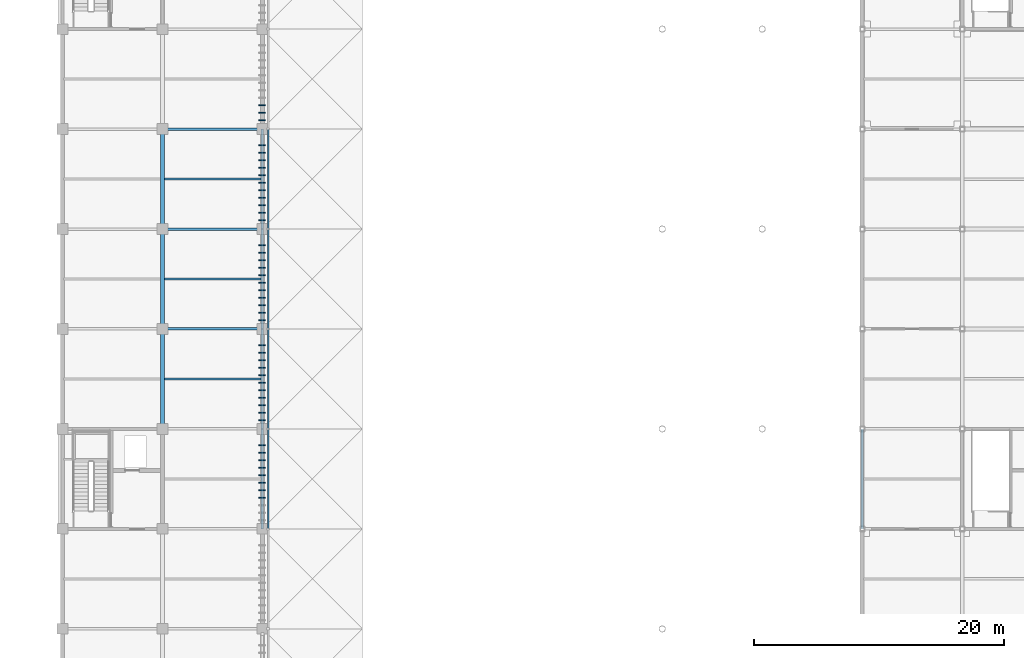
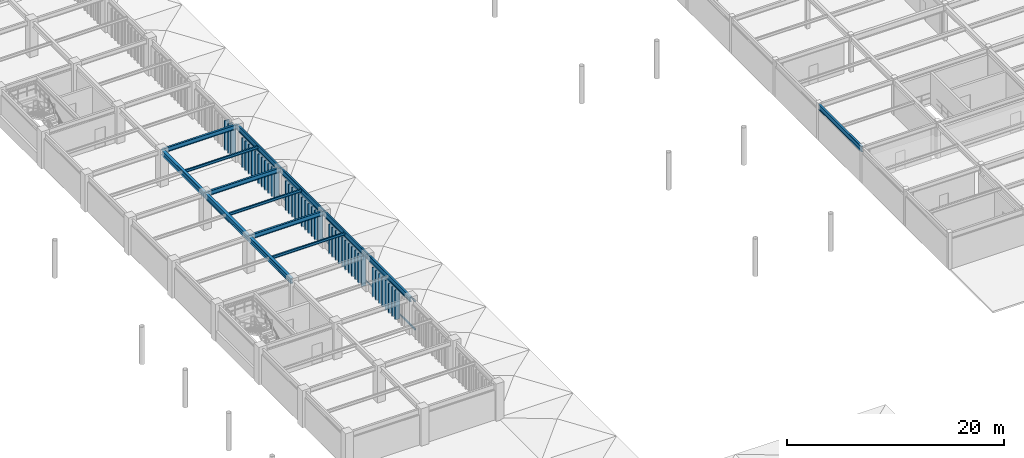
# One storey, part 32 of 78: 52 members, 14 beams.
"""IFC4 building model written with IfcOpenShell, lengths in metres."""

import ifcopenshell
import ifcopenshell.guid

model = None  # the IFC model being written
_history = None  # IfcOwnerHistory: only IFC2X3 demands one
_inside = {}  # id of a spatial element -> (the spatial element, [elements in it])
_under = {}  # id of a project, library or spatial element -> (it, [spatial elements below it])
_declared = {}  # id of a project -> (the project, [libraries it declares])
_typed = {}  # id of a type object -> (the type object, [elements of that type])
_made_of = {}  # id of a material, layer set ... -> (it, [elements and type objects made of it])


def new_model(schema):
    """Start an empty IFC model of exactly this schema.

    Asked for "IFC4X3", IfcOpenShell would pick the latest addendum, in which some entities
    have other attributes; the version numbers below select the first issue.
    IFC2X3 requires an IfcOwnerHistory on every rooted entity: one is made here for all.
    """
    global model, _history
    if schema == "IFC4X3":
        model = ifcopenshell.file(schema_version=(4, 3, 0, 0))
    else:
        model = ifcopenshell.file(schema=schema)
    _inside.clear()
    _under.clear()
    _declared.clear()
    _typed.clear()
    _made_of.clear()
    _history = None
    if model.schema == "IFC2X3":
        org = make("IfcOrganization", Name="unknown")
        user = make(
            "IfcPersonAndOrganization",
            ThePerson=make("IfcPerson", FamilyName="unknown"),
            TheOrganization=org,
        )
        app = make(
            "IfcApplication",
            ApplicationDeveloper=org,
            Version="unknown",
            ApplicationFullName="unknown",
            ApplicationIdentifier="unknown",
        )
        _history = make(
            "IfcOwnerHistory",
            OwningUser=user,
            OwningApplication=app,
            ChangeAction="ADDED",
            CreationDate=0,
        )
    return model


def make(cls, **values):
    """One entity of the class cls with the attributes given. An attribute that is None is left unset."""
    return model.create_entity(
        cls, **{name: value for name, value in values.items() if value is not None}
    )


def rooted(cls, **values):
    """An entity with a GlobalId (a new one), such as an element, a storey or a relation."""
    return make(cls, GlobalId=ifcopenshell.guid.new(), OwnerHistory=_history, **values)


def si_unit(unit_type, name, prefix=None):
    """IfcSIUnit, for example si_unit("LENGTHUNIT", "METRE", prefix="MILLI")."""
    return make("IfcSIUnit", UnitType=unit_type, Prefix=prefix, Name=name)


def assignment(units):
    """IfcUnitAssignment: the units of a project."""
    return None if units is None else make("IfcUnitAssignment", Units=units)


def point(xyz):
    """IfcCartesianPoint."""
    return None if xyz is None else make("IfcCartesianPoint", Coordinates=xyz)


def direction(xyz):
    """IfcDirection."""
    return None if xyz is None else make("IfcDirection", DirectionRatios=xyz)


def frame(location, z_axis=None, x_axis=None):
    """IfcAxis2Placement3D, a coordinate frame: its origin and axes. An axis left out is left unset."""
    return make(
        "IfcAxis2Placement3D",
        Location=point(location),
        Axis=direction(z_axis),
        RefDirection=direction(x_axis),
    )


def frame_2d(location, x_axis=None):
    """IfcAxis2Placement2D, a coordinate frame in the plane: its origin and x axis."""
    return make(
        "IfcAxis2Placement2D", Location=point(location), RefDirection=direction(x_axis)
    )


def origin():
    """The frame at (0, 0, 0) with its axes left unset."""
    return frame((0.0, 0.0, 0.0))


def origin_2d():
    """The frame at (0, 0) in the plane with its x axis left unset."""
    return frame_2d((0.0, 0.0))


def place(relative_to, where):
    """IfcLocalPlacement: puts the frame where relative to a parent placement (None: the world)."""
    return make(
        "IfcLocalPlacement", PlacementRelTo=relative_to, RelativePlacement=where
    )


def context(
    kind, dimensions, precision=None, world=None, true_north=None, identifier=None
):
    """IfcGeometricRepresentationContext, for example the 3D "Model" context."""
    return make(
        "IfcGeometricRepresentationContext",
        ContextIdentifier=identifier,
        ContextType=kind,
        CoordinateSpaceDimension=dimensions,
        Precision=precision,
        WorldCoordinateSystem=world,
        TrueNorth=true_north,
    )


def subcontext(parent, identifier, kind, view, scale=None):
    """IfcGeometricRepresentationSubContext, for example "Body" below "Model"."""
    return make(
        "IfcGeometricRepresentationSubContext",
        ContextIdentifier=identifier,
        ContextType=kind,
        ParentContext=parent,
        TargetScale=scale,
        TargetView=view,
    )


def project(units=None, contexts=None):
    """IfcProject with its units and contexts."""
    return rooted(
        "IfcProject",
        Name="project",
        RepresentationContexts=contexts,
        UnitsInContext=assignment(units),
    )


def spatial(cls, under=None, at=None, **own):
    """A site, building, storey or space (cls), placed at a placement, below another one or the project."""
    s = rooted(cls, ObjectPlacement=at, **own)
    if under is not None:
        _under.setdefault(under.id(), (under, []))[1].append(s)
    return s


def profile(cls, at=None, kind="AREA", **sizes):
    """A parametric profile (cls). Its sizes go by their IFC names, for example OverallWidth=200.0."""
    return make(cls, ProfileType=kind, Position=at, **sizes)


def rectangle(**sizes):
    """IfcRectangleProfileDef."""
    return profile("IfcRectangleProfileDef", **sizes)


def hollow_rectangle(**sizes):
    """IfcRectangleHollowProfileDef."""
    return profile("IfcRectangleHollowProfileDef", **sizes)


def i_section(**sizes):
    """IfcIShapeProfileDef."""
    return profile("IfcIShapeProfileDef", **sizes)


def extrude(swept, where, along, depth):
    """IfcExtrudedAreaSolid: the profile swept, set in the frame where, extruded along a direction by depth."""
    return make(
        "IfcExtrudedAreaSolid",
        SweptArea=swept,
        Position=where,
        ExtrudedDirection=direction(along),
        Depth=depth,
    )


def shape(context_of_items, identifier, shape_type, items):
    """IfcShapeRepresentation: the items that make up one representation, for example the "Body"."""
    return make(
        "IfcShapeRepresentation",
        ContextOfItems=context_of_items,
        RepresentationIdentifier=identifier,
        RepresentationType=shape_type,
        Items=items,
    )


def material(Name=None, Category=None):
    """IfcMaterial."""
    return make("IfcMaterial", Name=Name, Category=Category)


def material_profile(
    of_material, cross_section, Name=None, Category=None, Priority=None
):
    """IfcMaterialProfile: a cross section and its material."""
    return make(
        "IfcMaterialProfile",
        Name=Name,
        Material=of_material,
        Profile=cross_section,
        Priority=Priority,
        Category=Category,
    )


def profile_set(profiles, Name=None, composite=None):
    """IfcMaterialProfileSet."""
    return make(
        "IfcMaterialProfileSet",
        Name=Name,
        MaterialProfiles=profiles,
        CompositeProfile=composite,
    )


def made_of(thing, what):
    """Note that an element or type object is made of a material, layer set ...; save() writes the relation."""
    if what is not None:
        _made_of.setdefault(what.id(), (what, []))[1].append(thing)
    return thing


def type_object(cls, material=None, **own):
    """A type object (cls), such as IfcWallType, which elements share."""
    return made_of(rooted(cls, **own), material)


def element(
    cls,
    number,
    at=None,
    inside=None,
    cuts=None,
    type_object=None,
    material=None,
    context=None,
    identifier="Body",
    shape_type=None,
    held_by="IfcProductDefinitionShape",
    body=None,
    shapes=None,
    **own,
):
    """One element of the class cls, such as IfcWall. Its Tag is "e" and its number.

    at: its placement. inside: the storey or other place that contains it. cuts: it is an
    opening in that element (IfcRelVoidsElement). A single representation is given by context,
    identifier, shape_type and body (its items); several are given by shapes. held_by: the class
    of the entity that holds the representations. save() writes the other relations.
    """
    e = rooted(cls, Tag="e%d" % number, ObjectPlacement=at, **own)
    if body is not None:
        shapes = [shape(context, identifier, shape_type, body)]
    if shapes is not None:
        e.Representation = make(held_by, Representations=shapes)
    if inside is not None:
        _inside.setdefault(inside.id(), (inside, []))[1].append(e)
    if cuts is not None:
        rooted(
            "IfcRelVoidsElement", RelatingBuildingElement=cuts, RelatedOpeningElement=e
        )
    if type_object is not None:
        _typed.setdefault(type_object.id(), (type_object, []))[1].append(e)
    return made_of(e, material)


def aggregate(whole, parts):
    """IfcRelAggregates: a whole, such as a stair, and the parts it consists of."""
    return rooted("IfcRelAggregates", RelatingObject=whole, RelatedObjects=parts)


def save(model, path):
    """Write the relations noted so far, then the file.

    IfcRelAggregates (storeys below a building ...), IfcRelContainedInSpatialStructure (elements
    in a storey), IfcRelDefinesByType, IfcRelAssociatesMaterial and IfcRelDeclares: one each for
    every whole, place, type object, material and project.
    """
    for whole, parts in _under.values():
        aggregate(whole, parts)
    for where, things in _inside.values():
        rooted(
            "IfcRelContainedInSpatialStructure",
            RelatedElements=things,
            RelatingStructure=where,
        )
    for kind, things in _typed.values():
        rooted("IfcRelDefinesByType", RelatedObjects=things, RelatingType=kind)
    for what, things in _made_of.values():
        rooted("IfcRelAssociatesMaterial", RelatedObjects=things, RelatingMaterial=what)
    for by, libraries in _declared.values():
        rooted("IfcRelDeclares", RelatingContext=by, RelatedDefinitions=libraries)
    model.write(path)


model = new_model("IFC4")

# Units and contexts
model_context = context("Model", 3, precision=1e-05, world=origin(), true_north=direction((0.0, 1.0)))
body_context = subcontext(model_context, "Body", "Model", "MODEL_VIEW")
ifc_project = project(units=[si_unit("LENGTHUNIT", "METRE"), si_unit("AREAUNIT", "SQUARE_METRE"), si_unit("VOLUMEUNIT", "CUBIC_METRE"), si_unit("PLANEANGLEUNIT", "RADIAN"), si_unit("MASSUNIT", "GRAM", prefix="KILO")], contexts=[model_context])

# Site, building, storey
site_placement = place(None, origin())
site = spatial("IfcSite", under=ifc_project, at=site_placement, CompositionType="ELEMENT")
building_placement = place(site_placement, origin())
building = spatial("IfcBuilding", under=site, at=building_placement, Name="Haebicheon Civic Stadium", CompositionType="ELEMENT")
storey_placement = place(building_placement, frame((0.0, 0.0, 18.60009765625)))
storey = spatial("IfcBuildingStorey", under=building, at=storey_placement, Name="L05", CompositionType="ELEMENT", Elevation=18.60009765625)

# Beams
ifc_material_1 = material(Name="Steel SM355 (S355)", Category="steel")
ifc_material_profile_1 = material_profile(ifc_material_1, i_section(OverallWidth=0.199951171875, OverallDepth=0.5, WebThickness=0.010009765625, FlangeThickness=0.01611328125, at=origin_2d()), Name="H-500x200x10x16")
ifc_profile_set_1 = profile_set([ifc_material_profile_1], Name="Steel SM355 (S355)")
beam_type_1 = type_object("IfcBeamType", Name="BM-ST-H500", PredefinedType="BEAM", material=ifc_profile_set_1)
for number, where, z_axis, x_axis, name in (
    (1, (152.0, 80.0, 3.699951171875), (1.0, 0.0, 0.0), (0.0, 1.0, 0.0), "L05 beam L/20-21"),
    (2, (152.0, 88.0, 3.699951171875), (1.0, 0.0, 0.0), (0.0, 1.0, 0.0), "L05 beam M/20-21"),
    (3, (152.0, 96.0, 3.699951171875), (1.0, 0.0, 0.0), (0.0, 1.0, 0.0), "L05 beam N/20-21"),
):
    element("IfcBeam", number, at=place(storey_placement, frame(where, z_axis=z_axis, x_axis=x_axis)), inside=storey, type_object=beam_type_1, material=ifc_profile_set_1, Name=name, PredefinedType="BEAM", context=body_context, shape_type="SweptSolid", body=[
        extrude(i_section(OverallWidth=0.199951171875, OverallDepth=0.5, WebThickness=0.010009765625, FlangeThickness=0.01611328125, at=origin_2d()), origin(), (0.0, 0.0, 1.0), 8.0),
    ])
ifc_material_2 = material(Name="Steel SM355 (S355)", Category="steel")
ifc_material_profile_2 = material_profile(ifc_material_2, i_section(OverallWidth=0.300048828125, OverallDepth=0.60009765625, WebThickness=0.011962890625, FlangeThickness=0.02001953125, at=origin_2d()), Name="H-600x300x12x20")
ifc_profile_set_2 = profile_set([ifc_material_profile_2], Name="Steel SM355 (S355)")
beam_type_2 = type_object("IfcBeamType", Name="BM-ST-H600A", PredefinedType="BEAM", material=ifc_profile_set_2)
for number, where, z_axis, x_axis, name in (
    (4, (152.0, 72.0, 3.64990234375), (0.0, 1.0, 0.0), (-1.0, 0.0, 0.0), "L05 girder 20/K-L"),
    (5, (152.0, 80.0, 3.64990234375), (0.0, 1.0, 0.0), (-1.0, 0.0, 0.0), "L05 girder 20/L-M"),
    (6, (152.0, 88.0, 3.64990234375), (0.0, 1.0, 0.0), (-1.0, 0.0, 0.0), "L05 girder 20/M-N"),
):
    element("IfcBeam", number, at=place(storey_placement, frame(where, z_axis=z_axis, x_axis=x_axis)), inside=storey, type_object=beam_type_2, material=ifc_profile_set_2, Name=name, PredefinedType="BEAM", context=body_context, shape_type="SweptSolid", body=[
        extrude(i_section(OverallWidth=0.300048828125, OverallDepth=0.60009765625, WebThickness=0.011962890625, FlangeThickness=0.02001953125, at=origin_2d()), origin(), (0.0, 0.0, 1.0), 8.0),
    ])
ifc_material_3 = material(Name="Steel SM355 (S355)", Category="steel")
ifc_material_profile_3 = material_profile(ifc_material_3, i_section(OverallWidth=0.14990234375, OverallDepth=0.300048828125, WebThickness=0.006591796875, FlangeThickness=0.009033203125, at=origin_2d()), Name="H-300x150x6.5x9")
ifc_profile_set_3 = profile_set([ifc_material_profile_3], Name="Steel SM355 (S355)")
beam_type_3 = type_object("IfcBeamType", Name="JST-ST-H300", PredefinedType="JOIST", material=ifc_profile_set_3)
for number, where, z_axis, x_axis, name in (
    (7, (152.14990234375, 76.0, 3.7998046875), (1.0, 0.0, 0.0), (0.0, 1.0, 0.0), "L05 secondary joist 19-09"),
    (8, (152.14990234375, 84.0, 3.7998046875), (1.0, 0.0, 0.0), (0.0, 1.0, 0.0), "L05 secondary joist 19-10"),
    (9, (152.14990234375, 92.0, 3.7998046875), (1.0, 0.0, 0.0), (0.0, 1.0, 0.0), "L05 secondary joist 19-11"),
):
    element("IfcBeam", number, at=place(storey_placement, frame(where, z_axis=z_axis, x_axis=x_axis)), inside=storey, type_object=beam_type_3, material=ifc_profile_set_3, Name=name, PredefinedType="JOIST", context=body_context, shape_type="SweptSolid", body=[
        extrude(i_section(OverallWidth=0.14990234375, OverallDepth=0.300048828125, WebThickness=0.006591796875, FlangeThickness=0.009033203125, at=origin_2d()), origin(), (0.0, 0.0, 1.0), 7.75),
    ])

# Members
ifc_material_4 = material(Name="Acetylated timber GL28h", Category="wood")
ifc_material_profile_4 = material_profile(ifc_material_4, rectangle(XDim=0.080078125, YDim=0.52001953125, at=origin_2d()), Name="TMB-LOUV-80x520")
ifc_profile_set_4 = profile_set([ifc_material_profile_4], Name="Acetylated timber GL28h")
member_type_1 = type_object("IfcMemberType", Name="LVR-TIM-520x80", PredefinedType="PLATE", material=ifc_profile_set_4)
for number, where, z_axis, x_axis, name in (
    (10, (159.97998046875, 66.5, -0.1201171875), (0.0, 0.0, 1.0), (0.0, 1.0, 0.0), "SCR-EAST L05 acetylated timber storm louvre fin 3.4"),
    (11, (159.97998046875, 67.10009765625, -0.1201171875), (0.0, 0.0, 1.0), (0.0, 1.0, 0.0), "SCR-EAST L05 acetylated timber storm louvre fin 3.5"),
    (12, (159.97998046875, 67.699951171875, -0.1201171875), (0.0, 0.0, 1.0), (0.0, 1.0, 0.0), "SCR-EAST L05 acetylated timber storm louvre fin 3.6"),
    (13, (159.97998046875, 68.300048828125, -0.1201171875), (0.0, 0.0, 1.0), (0.0, 1.0, 0.0), "SCR-EAST L05 acetylated timber storm louvre fin 3.7"),
    (14, (159.97998046875, 68.89990234375, -0.1201171875), (0.0, 0.0, 1.0), (0.0, 1.0, 0.0), "SCR-EAST L05 acetylated timber storm louvre fin 3.8"),
    (15, (159.97998046875, 69.5, -0.1201171875), (0.0, 0.0, 1.0), (0.0, 1.0, 0.0), "SCR-EAST L05 acetylated timber storm louvre fin 3.9"),
    (16, (159.97998046875, 70.10009765625, -0.1201171875), (0.0, 0.0, 1.0), (0.0, 1.0, 0.0), "SCR-EAST L05 acetylated timber storm louvre fin 3.10"),
    (17, (159.97998046875, 70.699951171875, -0.1201171875), (0.0, 0.0, 1.0), (0.0, 1.0, 0.0), "SCR-EAST L05 acetylated timber storm louvre fin 3.11"),
    (18, (159.97998046875, 72.699951171875, -0.1201171875), (0.0, 0.0, 1.0), (0.0, 1.0, 0.0), "SCR-EAST L05 acetylated timber storm louvre fin 4.1"),
    (19, (159.97998046875, 73.300048828125, -0.1201171875), (0.0, 0.0, 1.0), (0.0, 1.0, 0.0), "SCR-EAST L05 acetylated timber storm louvre fin 4.2"),
    (20, (159.97998046875, 73.89990234375, -0.1201171875), (0.0, 0.0, 1.0), (0.0, 1.0, 0.0), "SCR-EAST L05 acetylated timber storm louvre fin 4.3"),
    (21, (159.97998046875, 74.5, -0.1201171875), (0.0, 0.0, 1.0), (0.0, 1.0, 0.0), "SCR-EAST L05 acetylated timber storm louvre fin 4.4"),
    (22, (159.97998046875, 75.10009765625, -0.1201171875), (0.0, 0.0, 1.0), (0.0, 1.0, 0.0), "SCR-EAST L05 acetylated timber storm louvre fin 4.5"),
    (23, (159.97998046875, 75.699951171875, -0.1201171875), (0.0, 0.0, 1.0), (0.0, 1.0, 0.0), "SCR-EAST L05 acetylated timber storm louvre fin 4.6"),
    (24, (159.97998046875, 76.300048828125, -0.1201171875), (0.0, 0.0, 1.0), (0.0, 1.0, 0.0), "SCR-EAST L05 acetylated timber storm louvre fin 4.7"),
    (25, (159.97998046875, 76.89990234375, -0.1201171875), (0.0, 0.0, 1.0), (0.0, 1.0, 0.0), "SCR-EAST L05 acetylated timber storm louvre fin 4.8"),
    (26, (159.97998046875, 77.5, -0.1201171875), (0.0, 0.0, 1.0), (0.0, 1.0, 0.0), "SCR-EAST L05 acetylated timber storm louvre fin 4.9"),
    (27, (159.97998046875, 78.10009765625, -0.1201171875), (0.0, 0.0, 1.0), (0.0, 1.0, 0.0), "SCR-EAST L05 acetylated timber storm louvre fin 4.10"),
    (28, (159.97998046875, 78.699951171875, -0.1201171875), (0.0, 0.0, 1.0), (0.0, 1.0, 0.0), "SCR-EAST L05 acetylated timber storm louvre fin 4.11"),
    (29, (159.97998046875, 80.699951171875, -0.1201171875), (0.0, 0.0, 1.0), (0.0, 1.0, 0.0), "SCR-EAST L05 acetylated timber storm louvre fin 5.1"),
    (30, (159.97998046875, 81.300048828125, -0.1201171875), (0.0, 0.0, 1.0), (0.0, 1.0, 0.0), "SCR-EAST L05 acetylated timber storm louvre fin 5.2"),
    (31, (159.97998046875, 81.89990234375, -0.1201171875), (0.0, 0.0, 1.0), (0.0, 1.0, 0.0), "SCR-EAST L05 acetylated timber storm louvre fin 5.3"),
    (32, (159.97998046875, 82.5, -0.1201171875), (0.0, 0.0, 1.0), (0.0, 1.0, 0.0), "SCR-EAST L05 acetylated timber storm louvre fin 5.4"),
    (33, (159.97998046875, 83.10009765625, -0.1201171875), (0.0, 0.0, 1.0), (0.0, 1.0, 0.0), "SCR-EAST L05 acetylated timber storm louvre fin 5.5"),
    (34, (159.97998046875, 83.699951171875, -0.1201171875), (0.0, 0.0, 1.0), (0.0, 1.0, 0.0), "SCR-EAST L05 acetylated timber storm louvre fin 5.6"),
    (35, (159.97998046875, 84.300048828125, -0.1201171875), (0.0, 0.0, 1.0), (0.0, 1.0, 0.0), "SCR-EAST L05 acetylated timber storm louvre fin 5.7"),
    (36, (159.97998046875, 84.89990234375, -0.1201171875), (0.0, 0.0, 1.0), (0.0, 1.0, 0.0), "SCR-EAST L05 acetylated timber storm louvre fin 5.8"),
    (37, (159.97998046875, 85.5, -0.1201171875), (0.0, 0.0, 1.0), (0.0, 1.0, 0.0), "SCR-EAST L05 acetylated timber storm louvre fin 5.9"),
    (38, (159.97998046875, 86.10009765625, -0.1201171875), (0.0, 0.0, 1.0), (0.0, 1.0, 0.0), "SCR-EAST L05 acetylated timber storm louvre fin 5.10"),
    (39, (159.97998046875, 86.699951171875, -0.1201171875), (0.0, 0.0, 1.0), (0.0, 1.0, 0.0), "SCR-EAST L05 acetylated timber storm louvre fin 5.11"),
    (40, (159.97998046875, 88.699951171875, -0.1201171875), (0.0, 0.0, 1.0), (0.0, 1.0, 0.0), "SCR-EAST L05 acetylated timber storm louvre fin 6.1"),
    (41, (159.97998046875, 89.300048828125, -0.1201171875), (0.0, 0.0, 1.0), (0.0, 1.0, 0.0), "SCR-EAST L05 acetylated timber storm louvre fin 6.2"),
    (42, (159.97998046875, 89.89990234375, -0.1201171875), (0.0, 0.0, 1.0), (0.0, 1.0, 0.0), "SCR-EAST L05 acetylated timber storm louvre fin 6.3"),
    (43, (159.97998046875, 90.5, -0.1201171875), (0.0, 0.0, 1.0), (0.0, 1.0, 0.0), "SCR-EAST L05 acetylated timber storm louvre fin 6.4"),
    (44, (159.97998046875, 91.10009765625, -0.1201171875), (0.0, 0.0, 1.0), (0.0, 1.0, 0.0), "SCR-EAST L05 acetylated timber storm louvre fin 6.5"),
    (45, (159.97998046875, 91.699951171875, -0.1201171875), (0.0, 0.0, 1.0), (0.0, 1.0, 0.0), "SCR-EAST L05 acetylated timber storm louvre fin 6.6"),
    (46, (159.97998046875, 92.300048828125, -0.1201171875), (0.0, 0.0, 1.0), (0.0, 1.0, 0.0), "SCR-EAST L05 acetylated timber storm louvre fin 6.7"),
    (47, (159.97998046875, 92.89990234375, -0.1201171875), (0.0, 0.0, 1.0), (0.0, 1.0, 0.0), "SCR-EAST L05 acetylated timber storm louvre fin 6.8"),
    (48, (159.97998046875, 93.5, -0.1201171875), (0.0, 0.0, 1.0), (0.0, 1.0, 0.0), "SCR-EAST L05 acetylated timber storm louvre fin 6.9"),
    (49, (159.97998046875, 94.10009765625, -0.1201171875), (0.0, 0.0, 1.0), (0.0, 1.0, 0.0), "SCR-EAST L05 acetylated timber storm louvre fin 6.10"),
    (50, (159.97998046875, 94.699951171875, -0.1201171875), (0.0, 0.0, 1.0), (0.0, 1.0, 0.0), "SCR-EAST L05 acetylated timber storm louvre fin 6.11"),
    (51, (159.97998046875, 96.699951171875, -0.1201171875), (0.0, 0.0, 1.0), (0.0, 1.0, 0.0), "SCR-EAST L05 acetylated timber storm louvre fin 7.1"),
    (52, (159.97998046875, 97.300048828125, -0.1201171875), (0.0, 0.0, 1.0), (0.0, 1.0, 0.0), "SCR-EAST L05 acetylated timber storm louvre fin 7.2"),
    (53, (159.97998046875, 97.89990234375, -0.1201171875), (0.0, 0.0, 1.0), (0.0, 1.0, 0.0), "SCR-EAST L05 acetylated timber storm louvre fin 7.3"),
):
    element("IfcMember", number, at=place(storey_placement, frame(where, z_axis=z_axis, x_axis=x_axis)), inside=storey, type_object=member_type_1, material=ifc_profile_set_4, Name=name, PredefinedType="PLATE", context=body_context, shape_type="SweptSolid", body=[
        extrude(rectangle(XDim=0.080078125, YDim=0.52001953125, at=origin_2d()), origin(), (0.0, 0.0, 1.0), 3.3701171875),
    ])

# Beams
ifc_material_5 = material(Name="Steel SM355 (S355)", Category="steel")
ifc_material_profile_5 = material_profile(ifc_material_5, i_section(OverallWidth=0.199951171875, OverallDepth=0.60009765625, WebThickness=0.010986328125, FlangeThickness=0.01708984375, at=origin_2d()), Name="H-600x200x11x17")
ifc_profile_set_5 = profile_set([ifc_material_profile_5], Name="Steel SM355 (S355)")
beam_type_4 = type_object("IfcBeamType", Name="SPD-ST-H600B", PredefinedType="SPANDREL", material=ifc_profile_set_5)
for number, where, z_axis, x_axis, name in (
    (54, (160.0, 64.0, 3.64990234375), (0.0, 1.0, 0.0), (-1.0, 0.0, 0.0), "L05 girder 21/J-K"),
    (55, (160.0, 72.0, 3.64990234375), (0.0, 1.0, 0.0), (-1.0, 0.0, 0.0), "L05 girder 21/K-L"),
    (56, (160.0, 80.0, 3.64990234375), (0.0, 1.0, 0.0), (-1.0, 0.0, 0.0), "L05 girder 21/L-M"),
    (57, (160.0, 88.0, 3.64990234375), (0.0, 1.0, 0.0), (-1.0, 0.0, 0.0), "L05 girder 21/M-N"),
    (58, (208.0, 64.0, 3.679931640625), (0.0, 1.0, 0.0), (-1.0, 0.0, 0.0), "L05 girder 27/J-K"),
):
    element("IfcBeam", number, at=place(storey_placement, frame(where, z_axis=z_axis, x_axis=x_axis)), inside=storey, type_object=beam_type_4, material=ifc_profile_set_5, Name=name, PredefinedType="SPANDREL", context=body_context, shape_type="SweptSolid", body=[
        extrude(i_section(OverallWidth=0.199951171875, OverallDepth=0.60009765625, WebThickness=0.010986328125, FlangeThickness=0.01708984375, at=origin_2d()), origin(), (0.0, 0.0, 1.0), 8.0),
    ])

# Members
ifc_material_6 = material(Name="Steel SM355 (S355)", Category="steel")
ifc_material_profile_6 = material_profile(ifc_material_6, hollow_rectangle(XDim=0.10009765625, YDim=0.14990234375, WallThickness=0.006103515625, at=origin_2d()), Name="RHS-150x100x6.0")
ifc_profile_set_6 = profile_set([ifc_material_profile_6], Name="Steel SM355 (S355)")
member_type_2 = type_object("IfcMemberType", Name="SUB-RHS150", PredefinedType="STRINGER", material=ifc_profile_set_6)
for number, where, z_axis, x_axis, name in (
    (59, (160.465087890625, 64.0, 0.059814453125), (0.0, 1.0, 0.0), (-1.0, 0.0, 0.0), "SCR-EAST L05 storm-louvre bottom carrier rail 3"),
    (60, (160.465087890625, 64.0, 3.25), (0.0, 1.0, 0.0), (-1.0, 0.0, 0.0), "SCR-EAST L05 storm-louvre top carrier rail 3"),
    (61, (160.465087890625, 72.0, 0.059814453125), (0.0, 1.0, 0.0), (-1.0, 0.0, 0.0), "SCR-EAST L05 storm-louvre bottom carrier rail 4"),
    (62, (160.465087890625, 72.0, 3.25), (0.0, 1.0, 0.0), (-1.0, 0.0, 0.0), "SCR-EAST L05 storm-louvre top carrier rail 4"),
    (63, (160.465087890625, 80.0, 0.059814453125), (0.0, 1.0, 0.0), (-1.0, 0.0, 0.0), "SCR-EAST L05 storm-louvre bottom carrier rail 5"),
    (64, (160.465087890625, 80.0, 3.25), (0.0, 1.0, 0.0), (-1.0, 0.0, 0.0), "SCR-EAST L05 storm-louvre top carrier rail 5"),
    (65, (160.465087890625, 88.0, 0.059814453125), (0.0, 1.0, 0.0), (-1.0, 0.0, 0.0), "SCR-EAST L05 storm-louvre bottom carrier rail 6"),
    (66, (160.465087890625, 88.0, 3.25), (0.0, 1.0, 0.0), (-1.0, 0.0, 0.0), "SCR-EAST L05 storm-louvre top carrier rail 6"),
):
    element("IfcMember", number, at=place(storey_placement, frame(where, z_axis=z_axis, x_axis=x_axis)), inside=storey, type_object=member_type_2, material=ifc_profile_set_6, Name=name, PredefinedType="STRINGER", context=body_context, shape_type="SweptSolid", body=[
        extrude(hollow_rectangle(XDim=0.10009765625, YDim=0.14990234375, WallThickness=0.006103515625, at=origin_2d()), origin(), (0.0, 0.0, 1.0), 8.0),
    ])

save(model, "model.ifc")
